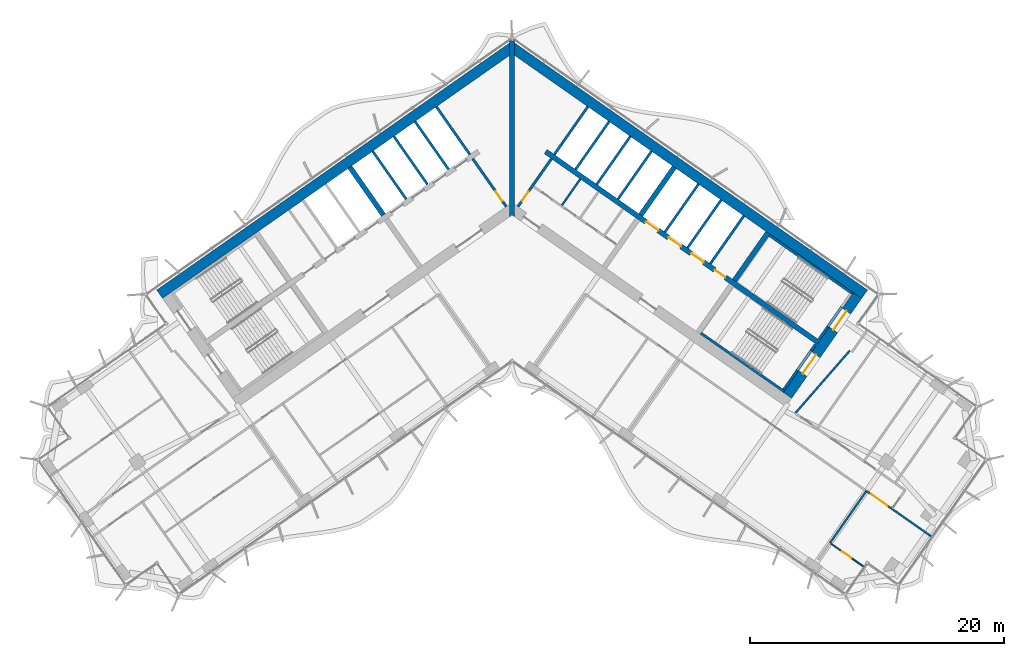
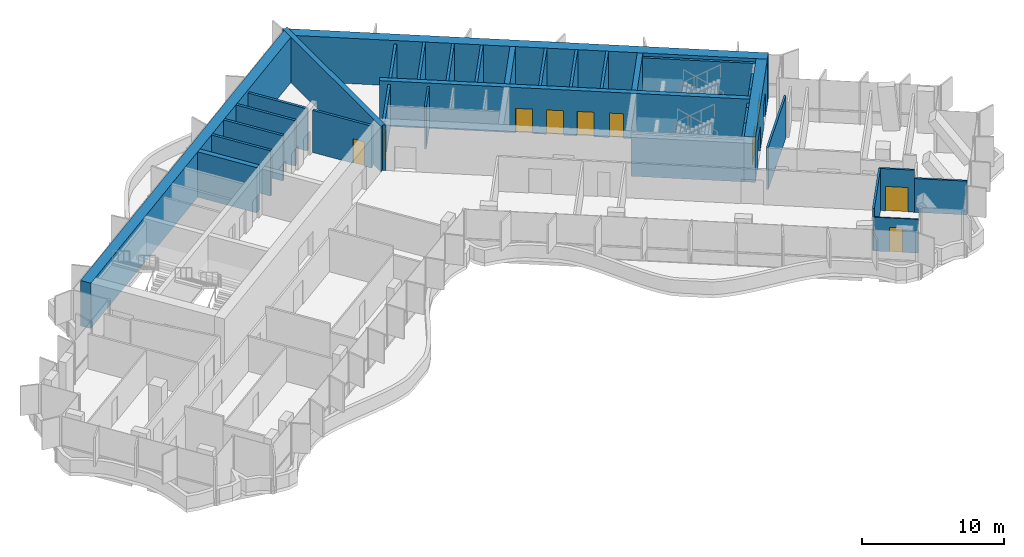
# One storey, part 16 of 23: 34 walls, 10 doors, 10 openings.
"""IFC4 building model written with IfcOpenShell, lengths in metres."""

import ifcopenshell
import ifcopenshell.guid

model = None  # the IFC model being written
_history = None  # IfcOwnerHistory: only IFC2X3 demands one
_inside = {}  # id of a spatial element -> (the spatial element, [elements in it])
_under = {}  # id of a project, library or spatial element -> (it, [spatial elements below it])
_declared = {}  # id of a project -> (the project, [libraries it declares])
_typed = {}  # id of a type object -> (the type object, [elements of that type])
_made_of = {}  # id of a material, layer set ... -> (it, [elements and type objects made of it])


def new_model(schema):
    """Start an empty IFC model of exactly this schema.

    Asked for "IFC4X3", IfcOpenShell would pick the latest addendum, in which some entities
    have other attributes; the version numbers below select the first issue.
    IFC2X3 requires an IfcOwnerHistory on every rooted entity: one is made here for all.
    """
    global model, _history
    if schema == "IFC4X3":
        model = ifcopenshell.file(schema_version=(4, 3, 0, 0))
    else:
        model = ifcopenshell.file(schema=schema)
    _inside.clear()
    _under.clear()
    _declared.clear()
    _typed.clear()
    _made_of.clear()
    _history = None
    if model.schema == "IFC2X3":
        org = make("IfcOrganization", Name="unknown")
        user = make(
            "IfcPersonAndOrganization",
            ThePerson=make("IfcPerson", FamilyName="unknown"),
            TheOrganization=org,
        )
        app = make(
            "IfcApplication",
            ApplicationDeveloper=org,
            Version="unknown",
            ApplicationFullName="unknown",
            ApplicationIdentifier="unknown",
        )
        _history = make(
            "IfcOwnerHistory",
            OwningUser=user,
            OwningApplication=app,
            ChangeAction="ADDED",
            CreationDate=0,
        )
    return model


def make(cls, **values):
    """One entity of the class cls with the attributes given. An attribute that is None is left unset."""
    return model.create_entity(
        cls, **{name: value for name, value in values.items() if value is not None}
    )


def rooted(cls, **values):
    """An entity with a GlobalId (a new one), such as an element, a storey or a relation."""
    return make(cls, GlobalId=ifcopenshell.guid.new(), OwnerHistory=_history, **values)


def si_unit(unit_type, name, prefix=None):
    """IfcSIUnit, for example si_unit("LENGTHUNIT", "METRE", prefix="MILLI")."""
    return make("IfcSIUnit", UnitType=unit_type, Prefix=prefix, Name=name)


def assignment(units):
    """IfcUnitAssignment: the units of a project."""
    return None if units is None else make("IfcUnitAssignment", Units=units)


def point(xyz):
    """IfcCartesianPoint."""
    return None if xyz is None else make("IfcCartesianPoint", Coordinates=xyz)


def direction(xyz):
    """IfcDirection."""
    return None if xyz is None else make("IfcDirection", DirectionRatios=xyz)


def frame(location, z_axis=None, x_axis=None):
    """IfcAxis2Placement3D, a coordinate frame: its origin and axes. An axis left out is left unset."""
    return make(
        "IfcAxis2Placement3D",
        Location=point(location),
        Axis=direction(z_axis),
        RefDirection=direction(x_axis),
    )


def frame_2d(location, x_axis=None):
    """IfcAxis2Placement2D, a coordinate frame in the plane: its origin and x axis."""
    return make(
        "IfcAxis2Placement2D", Location=point(location), RefDirection=direction(x_axis)
    )


def origin():
    """The frame at (0, 0, 0) with its axes left unset."""
    return frame((0.0, 0.0, 0.0))


def place(relative_to, where):
    """IfcLocalPlacement: puts the frame where relative to a parent placement (None: the world)."""
    return make(
        "IfcLocalPlacement", PlacementRelTo=relative_to, RelativePlacement=where
    )


def context(
    kind, dimensions, precision=None, world=None, true_north=None, identifier=None
):
    """IfcGeometricRepresentationContext, for example the 3D "Model" context."""
    return make(
        "IfcGeometricRepresentationContext",
        ContextIdentifier=identifier,
        ContextType=kind,
        CoordinateSpaceDimension=dimensions,
        Precision=precision,
        WorldCoordinateSystem=world,
        TrueNorth=true_north,
    )


def subcontext(parent, identifier, kind, view, scale=None):
    """IfcGeometricRepresentationSubContext, for example "Body" below "Model"."""
    return make(
        "IfcGeometricRepresentationSubContext",
        ContextIdentifier=identifier,
        ContextType=kind,
        ParentContext=parent,
        TargetScale=scale,
        TargetView=view,
    )


def project(units=None, contexts=None):
    """IfcProject with its units and contexts."""
    return rooted(
        "IfcProject",
        Name="project",
        RepresentationContexts=contexts,
        UnitsInContext=assignment(units),
    )


def spatial(cls, under=None, at=None, **own):
    """A site, building, storey or space (cls), placed at a placement, below another one or the project."""
    s = rooted(cls, ObjectPlacement=at, **own)
    if under is not None:
        _under.setdefault(under.id(), (under, []))[1].append(s)
    return s


def polyline(points):
    """IfcPolyline through the points."""
    return make("IfcPolyline", Points=[point(p) for p in points])


def profile(cls, at=None, kind="AREA", **sizes):
    """A parametric profile (cls). Its sizes go by their IFC names, for example OverallWidth=200.0."""
    return make(cls, ProfileType=kind, Position=at, **sizes)


def rectangle(**sizes):
    """IfcRectangleProfileDef."""
    return profile("IfcRectangleProfileDef", **sizes)


def outline(outer, holes=None, kind="AREA"):
    """IfcArbitraryClosedProfileDef: a profile drawn as a closed curve; with holes, ...WithVoids."""
    if holes is None:
        return make("IfcArbitraryClosedProfileDef", ProfileType=kind, OuterCurve=outer)
    return make(
        "IfcArbitraryProfileDefWithVoids",
        ProfileType=kind,
        OuterCurve=outer,
        InnerCurves=holes,
    )


def extrude(swept, where, along, depth):
    """IfcExtrudedAreaSolid: the profile swept, set in the frame where, extruded along a direction by depth."""
    return make(
        "IfcExtrudedAreaSolid",
        SweptArea=swept,
        Position=where,
        ExtrudedDirection=direction(along),
        Depth=depth,
    )


def shape(context_of_items, identifier, shape_type, items):
    """IfcShapeRepresentation: the items that make up one representation, for example the "Body"."""
    return make(
        "IfcShapeRepresentation",
        ContextOfItems=context_of_items,
        RepresentationIdentifier=identifier,
        RepresentationType=shape_type,
        Items=items,
    )


def material(Name=None, Category=None):
    """IfcMaterial."""
    return make("IfcMaterial", Name=Name, Category=Category)


def layer(
    of_material, thickness, ventilated=None, Name=None, Category=None, Priority=None
):
    """IfcMaterialLayer: one layer of a wall or slab, of a material (None: an air gap)."""
    return make(
        "IfcMaterialLayer",
        Material=of_material,
        LayerThickness=thickness,
        IsVentilated=ventilated,
        Name=Name,
        Category=Category,
        Priority=Priority,
    )


def layer_set(layers, Name=None):
    """IfcMaterialLayerSet."""
    return make("IfcMaterialLayerSet", MaterialLayers=layers, LayerSetName=Name)


def made_of(thing, what):
    """Note that an element or type object is made of a material, layer set ...; save() writes the relation."""
    if what is not None:
        _made_of.setdefault(what.id(), (what, []))[1].append(thing)
    return thing


def type_object(cls, material=None, **own):
    """A type object (cls), such as IfcWallType, which elements share."""
    return made_of(rooted(cls, **own), material)


def element(
    cls,
    number,
    at=None,
    inside=None,
    cuts=None,
    type_object=None,
    material=None,
    context=None,
    identifier="Body",
    shape_type=None,
    held_by="IfcProductDefinitionShape",
    body=None,
    shapes=None,
    **own,
):
    """One element of the class cls, such as IfcWall. Its Tag is "e" and its number.

    at: its placement. inside: the storey or other place that contains it. cuts: it is an
    opening in that element (IfcRelVoidsElement). A single representation is given by context,
    identifier, shape_type and body (its items); several are given by shapes. held_by: the class
    of the entity that holds the representations. save() writes the other relations.
    """
    e = rooted(cls, Tag="e%d" % number, ObjectPlacement=at, **own)
    if body is not None:
        shapes = [shape(context, identifier, shape_type, body)]
    if shapes is not None:
        e.Representation = make(held_by, Representations=shapes)
    if inside is not None:
        _inside.setdefault(inside.id(), (inside, []))[1].append(e)
    if cuts is not None:
        rooted(
            "IfcRelVoidsElement", RelatingBuildingElement=cuts, RelatedOpeningElement=e
        )
    if type_object is not None:
        _typed.setdefault(type_object.id(), (type_object, []))[1].append(e)
    return made_of(e, material)


def fill(opening, filler):
    """IfcRelFillsElement: the door or window that sits in an opening."""
    return rooted(
        "IfcRelFillsElement",
        RelatingOpeningElement=opening,
        RelatedBuildingElement=filler,
    )


def aggregate(whole, parts):
    """IfcRelAggregates: a whole, such as a stair, and the parts it consists of."""
    return rooted("IfcRelAggregates", RelatingObject=whole, RelatedObjects=parts)


def save(model, path):
    """Write the relations noted so far, then the file.

    IfcRelAggregates (storeys below a building ...), IfcRelContainedInSpatialStructure (elements
    in a storey), IfcRelDefinesByType, IfcRelAssociatesMaterial and IfcRelDeclares: one each for
    every whole, place, type object, material and project.
    """
    for whole, parts in _under.values():
        aggregate(whole, parts)
    for where, things in _inside.values():
        rooted(
            "IfcRelContainedInSpatialStructure",
            RelatedElements=things,
            RelatingStructure=where,
        )
    for kind, things in _typed.values():
        rooted("IfcRelDefinesByType", RelatedObjects=things, RelatingType=kind)
    for what, things in _made_of.values():
        rooted("IfcRelAssociatesMaterial", RelatedObjects=things, RelatingMaterial=what)
    for by, libraries in _declared.values():
        rooted("IfcRelDeclares", RelatingContext=by, RelatedDefinitions=libraries)
    model.write(path)


model = new_model("IFC4")

# Units and contexts
model_context = context("Model", 3, precision=1e-05, world=origin(), true_north=direction((0.0, 1.0)))
body_context = subcontext(model_context, "Body", "Model", "MODEL_VIEW")
ifc_project = project(units=[si_unit("LENGTHUNIT", "METRE"), si_unit("AREAUNIT", "SQUARE_METRE"), si_unit("VOLUMEUNIT", "CUBIC_METRE"), si_unit("PLANEANGLEUNIT", "RADIAN"), si_unit("MASSUNIT", "GRAM", prefix="KILO")], contexts=[model_context])

# Site, building, storey
site_placement = place(None, origin())
site = spatial("IfcSite", under=ifc_project, at=site_placement, CompositionType="ELEMENT")
building_placement = place(site_placement, origin())
building = spatial("IfcBuilding", under=site, at=building_placement, Name="Tel Ilan Convention Tower", CompositionType="ELEMENT")
storey_placement = place(building_placement, frame((0.0, 0.0, 186.60009765625)))
storey = spatial("IfcBuildingStorey", under=building, at=storey_placement, Name="L43", CompositionType="ELEMENT", Elevation=186.60009765625)

# Wall
ifc_material_1 = material(Name="Gypsum Plasterboard on Steel Stud", Category="steel")
ifc_layer_1 = layer(ifc_material_1, 0.14990234375)
ifc_layer_set_1 = layer_set([ifc_layer_1], Name="Core Room Partition Wall 150 mm EI 60")
wall_type_1 = type_object("IfcWallType", Name="Core Room Partition Wall 150 mm EI 60", PredefinedType="PARTITIONING", material=ifc_layer_set_1)
wall_1_placement = place(storey_placement, frame((3.922119140625, -0.457275390625, 0.0), z_axis=(0.0, 0.0, 1.0), x_axis=(0.573566168143, 0.81915923407, 0.0)))
element("IfcWall", 1, at=wall_1_placement, inside=storey, type_object=wall_type_1, Name="L43 core wall wc-v0", PredefinedType="PARTITIONING", context=body_context, shape_type="SweptSolid", body=[
    extrude(rectangle(XDim=2.52490234375, YDim=0.14990234375, at=frame_2d((1.262451171875, 0.0))), origin(), (0.0, 0.0, 1.0), 3.619873046875),
])

# Wall, opening, door
ifc_material_2 = material(Name="Concrete C30/37", Category="concrete")
ifc_layer_2 = layer(ifc_material_2, 0.199951171875)
ifc_layer_set_2 = layer_set([ifc_layer_2], Name="Core Service Room Wall 200 mm C30/37")
wall_type_2 = type_object("IfcWallType", Name="Core Service Room Wall 200 mm C30/37", PredefinedType="SOLIDWALL", material=ifc_layer_set_2)
wall_2_placement = place(storey_placement, frame((-0.458740234375, -0.565185546875, 0.0), z_axis=(0.0, 0.0, 1.0), x_axis=(-0.573576324356, 0.819152122709, 0.0)))
wall_2 = element("IfcWall", 2, at=wall_2_placement, inside=storey, type_object=wall_type_2, Name="L43 core wall apex-W", PredefinedType="SOLIDWALL", context=body_context, shape_type="SweptSolid", body=[
    extrude(rectangle(XDim=4.599853515625, YDim=0.199951171875, at=frame_2d((2.2998046875, 0.0))), origin(), (0.0, 0.0, 1.0), 3.619873046875),
])
opening_1_placement = place(wall_2_placement, frame((0.550048828125, 0.0, 0.0)))
opening_1 = element("IfcOpeningElement", 3, at=opening_1_placement, cuts=wall_2, Name="Opening CD3302", PredefinedType="OPENING", context=body_context, shape_type="SweptSolid", body=[
    extrude(rectangle(XDim=0.89990234375, YDim=2.10009765625, at=frame_2d((0.449951171875, 1.050048828125))), frame((0.0, 0.10986328125, 0.0), z_axis=(0.0, -1.0, 0.0), x_axis=(1.0, 0.0, 0.0)), (0.0, 0.0, 1.0), 0.219970703125),
])
ifc_material_3 = material(Name="Galvanised Steel Door Leaf", Category="steel")
door_type_1 = type_object("IfcDoorType", Name="Service Room Door 900 x 2100 FD60", OperationType="NOTDEFINED", PredefinedType="DOOR", material=ifc_material_3)
door_1_placement = place(opening_1_placement, origin())
door_1 = element("IfcDoor", 4, at=door_1_placement, inside=storey, type_object=door_type_1, Name="Telecom Room door", OperationType="SINGLE_SWING_RIGHT", OverallHeight=2.10009765625, OverallWidth=0.89990234375, PredefinedType="DOOR", context=body_context, shape_type="SweptSolid", body=[
    extrude(rectangle(XDim=0.89990234375, YDim=2.10009765625, at=frame_2d((0.449951171875, 1.050048828125))), frame((0.0, 0.02490234375, 0.0), z_axis=(0.0, -1.0, 0.0), x_axis=(1.0, 0.0, 0.0)), (0.0, 0.0, 1.0), 0.050048828125),
])
fill(opening_1, door_1)

# Wall
wall_3_placement = place(storey_placement, frame((-3.32666015625, 3.530517578125, 0.0), z_axis=(0.0, 0.0, 1.0), x_axis=(-0.573576324356, 0.819152122709, 0.0)))
element("IfcWall", 5, at=wall_3_placement, inside=storey, type_object=wall_type_2, Name="L43 core wall apex-W-b", PredefinedType="SOLIDWALL", context=body_context, shape_type="SweptSolid", body=[
    extrude(rectangle(XDim=4.599853515625, YDim=0.199951171875, at=frame_2d((2.2998046875, 0.0))), origin(), (0.0, 0.0, 1.0), 3.619873046875),
])

# Wall, opening, door
wall_4_placement = place(storey_placement, frame((0.458740234375, -0.565185546875, 0.0), z_axis=(0.0, 0.0, 1.0), x_axis=(0.573576324356, 0.819152122709, 0.0)))
wall_4 = element("IfcWall", 6, at=wall_4_placement, inside=storey, type_object=wall_type_2, Name="L43 core wall apex-E", PredefinedType="SOLIDWALL", context=body_context, shape_type="SweptSolid", body=[
    extrude(rectangle(XDim=4.599853515625, YDim=0.199951171875, at=frame_2d((2.2998046875, 0.0))), origin(), (0.0, 0.0, 1.0), 3.619873046875),
])
opening_2_placement = place(wall_4_placement, frame((0.550048828125, 0.0, 0.0)))
opening_2 = element("IfcOpeningElement", 7, at=opening_2_placement, cuts=wall_4, Name="Opening CD3301", PredefinedType="OPENING", context=body_context, shape_type="SweptSolid", body=[
    extrude(rectangle(XDim=0.89990234375, YDim=2.10009765625, at=frame_2d((0.449951171875, 1.050048828125))), frame((0.0, 0.10986328125, 0.0), z_axis=(0.0, -1.0, 0.0), x_axis=(1.0, 0.0, 0.0)), (0.0, 0.0, 1.0), 0.219970703125),
])
door_2_placement = place(opening_2_placement, origin())
door_2 = element("IfcDoor", 8, at=door_2_placement, inside=storey, type_object=door_type_1, Name="Data Room door", OperationType="SINGLE_SWING_RIGHT", OverallHeight=2.10009765625, OverallWidth=0.89990234375, PredefinedType="DOOR", context=body_context, shape_type="SweptSolid", body=[
    extrude(rectangle(XDim=0.89990234375, YDim=2.10009765625, at=frame_2d((0.449951171875, 1.050048828125))), frame((0.0, 0.02490234375, 0.0), z_axis=(0.0, -1.0, 0.0), x_axis=(1.0, 0.0, 0.0)), (0.0, 0.0, 1.0), 0.050048828125),
])
fill(opening_2, door_2)

# Walls
wall_5_placement = place(storey_placement, frame((3.32666015625, 3.530517578125, 0.0), z_axis=(0.0, 0.0, 1.0), x_axis=(0.573576324356, 0.819152122709, 0.0)))
element("IfcWall", 9, at=wall_5_placement, inside=storey, type_object=wall_type_2, Name="L43 core wall apex-E-b", PredefinedType="SOLIDWALL", context=body_context, shape_type="SweptSolid", body=[
    extrude(rectangle(XDim=4.599853515625, YDim=0.199951171875, at=frame_2d((2.2998046875, 0.0))), origin(), (0.0, 0.0, 1.0), 3.619873046875),
])
ifc_material_4 = material(Name="Concrete C50/60", Category="concrete")
ifc_layer_3 = layer(ifc_material_4, 0.39990234375)
ifc_layer_set_3 = layer_set([ifc_layer_3], Name="Core Shear Wall 400 mm C50/60")
wall_type_3 = type_object("IfcWallType", Name="Core Shear Wall 400 mm C50/60", PredefinedType="SHEAR", material=ifc_layer_set_3)
wall_6_placement = place(storey_placement, frame((-10.12548828125, -1.230224609375, 0.0), z_axis=(0.0, 0.0, 1.0), x_axis=(-0.573576324356, 0.819152122709, 0.0)))
element("IfcWall", 10, at=wall_6_placement, inside=storey, type_object=wall_type_3, Name="L43 core wall W-cross1-2", PredefinedType="SHEAR", context=body_context, shape_type="SweptSolid", body=[
    extrude(outline(polyline([(4.60009765625, -0.199951171875), (4.599853515625, 0.199951171875), (0.0, 0.2001953125), (0.0, -0.199951171875), (4.60009765625, -0.199951171875)])), origin(), (0.0, 0.0, 1.0), 3.89990234375),
])
wall_7_placement = place(storey_placement, frame((10.12548828125, -1.230224609375, 0.0), z_axis=(0.0, 0.0, 1.0), x_axis=(0.573576324356, 0.819152122709, 0.0)))
element("IfcWall", 11, at=wall_7_placement, inside=storey, type_object=wall_type_3, Name="L43 core wall E-cross1-2", PredefinedType="SHEAR", context=body_context, shape_type="SweptSolid", body=[
    extrude(outline(polyline([(4.599853515625, -0.199951171875), (4.60009765625, 0.199951171875), (0.0, 0.199951171875), (0.0, -0.2001953125), (4.599853515625, -0.199951171875)])), origin(), (0.0, 0.0, 1.0), 3.89990234375),
])
wall_8_placement = place(storey_placement, frame((17.497802734375, -6.392333984375, 0.0), z_axis=(0.0, 0.0, 1.0), x_axis=(0.573611936273, 0.819127185829, 0.0)))
element("IfcWall", 12, at=wall_8_placement, inside=storey, type_object=wall_type_3, Name="L43 core wall E-cross2-2", PredefinedType="SHEAR", context=body_context, shape_type="SweptSolid", body=[
    extrude(outline(polyline([(4.599853515625, -0.199951171875), (4.599853515625, 0.2001953125), (0.0, 0.199951171875), (0.0, -0.2001953125), (4.599853515625, -0.199951171875)])), origin(), (0.0, 0.0, 1.0), 3.89990234375),
])

# Wall, openings, doors
wall_9_placement = place(storey_placement, frame((2.638427734375, 3.76806640625, 0.0), z_axis=(0.0, 0.0, 1.0), x_axis=(0.81915267502, -0.573575535572, 0.0)))
wall_9 = element("IfcWall", 13, at=wall_9_placement, inside=storey, type_object=wall_type_3, Name="L43 core wall E-spine", PredefinedType="SHEAR", context=body_context, shape_type="SweptSolid", body=[
    extrude(outline(polyline([(0.0, 0.199951171875), (0.0, -0.199951171875), (26.199951171875, -0.199951171875), (26.199951171875, 0.199951171875), (0.0, 0.199951171875)])), origin(), (0.0, 0.0, 1.0), 3.89990234375),
])
opening_3_placement = place(wall_9_placement, frame((9.637451171875, 0.0, 0.0)))
opening_3 = element("IfcOpeningElement", 14, at=opening_3_placement, cuts=wall_9, Name="Opening LD3301", PredefinedType="OPENING", context=body_context, shape_type="SweptSolid", body=[
    extrude(rectangle(XDim=1.199951171875, YDim=2.10009765625, at=frame_2d((0.60009765625, 1.050048828125))), frame((0.0, 0.2099609375, 0.0), z_axis=(0.0, -1.0, 0.0), x_axis=(1.0, 0.0, 0.0)), (0.0, 0.0, 1.0), 0.419921875),
])
opening_4_placement = place(wall_9_placement, frame((11.8125, 0.0, 0.0)))
opening_4 = element("IfcOpeningElement", 15, at=opening_4_placement, cuts=wall_9, Name="Opening LD3302", PredefinedType="OPENING", context=body_context, shape_type="SweptSolid", body=[
    extrude(rectangle(XDim=1.199951171875, YDim=2.10009765625, at=frame_2d((0.60009765625, 1.050048828125))), frame((0.0, 0.2099609375, 0.0), z_axis=(0.0, -1.0, 0.0), x_axis=(1.0, 0.0, 0.0)), (0.0, 0.0, 1.0), 0.419921875),
])
opening_5_placement = place(wall_9_placement, frame((13.987548828125, 0.0, 0.0)))
opening_5 = element("IfcOpeningElement", 16, at=opening_5_placement, cuts=wall_9, Name="Opening LD3303", PredefinedType="OPENING", context=body_context, shape_type="SweptSolid", body=[
    extrude(rectangle(XDim=1.199951171875, YDim=2.10009765625, at=frame_2d((0.60009765625, 1.050048828125))), frame((0.0, 0.2099609375, 0.0), z_axis=(0.0, -1.0, 0.0), x_axis=(1.0, 0.0, 0.0)), (0.0, 0.0, 1.0), 0.419921875),
])
opening_6_placement = place(wall_9_placement, frame((16.262451171875, 0.0, 0.0)))
opening_6 = element("IfcOpeningElement", 17, at=opening_6_placement, cuts=wall_9, Name="Opening CD3307", PredefinedType="OPENING", context=body_context, shape_type="SweptSolid", body=[
    extrude(rectangle(XDim=1.0, YDim=2.10009765625, at=frame_2d((0.5, 1.050048828125))), frame((0.0, 0.2099609375, 0.0), z_axis=(0.0, -1.0, 0.0), x_axis=(1.0, 0.0, 0.0)), (0.0, 0.0, 1.0), 0.419921875),
])
ifc_material_5 = material(Name="Stainless Steel Sliding Door Leaf", Category="steel")
door_type_2 = type_object("IfcDoorType", Name="Lift Landing Door 1200 x 2100 FD120", OperationType="NOTDEFINED", PredefinedType="DOOR", material=ifc_material_5)
door_3_placement = place(opening_3_placement, origin())
door_3 = element("IfcDoor", 18, at=door_3_placement, inside=storey, type_object=door_type_2, Name="Lift FL1 landing door", OperationType="SLIDING_TO_LEFT", OverallHeight=2.10009765625, OverallWidth=1.199951171875, PredefinedType="DOOR", context=body_context, shape_type="SweptSolid", body=[
    extrude(rectangle(XDim=1.199951171875, YDim=2.10009765625, at=frame_2d((0.60009765625, 1.050048828125))), frame((0.0, 0.02490234375, 0.0), z_axis=(0.0, -1.0, 0.0), x_axis=(1.0, 0.0, 0.0)), (0.0, 0.0, 1.0), 0.050048828125),
])
fill(opening_3, door_3)
door_4_placement = place(opening_4_placement, origin())
door_4 = element("IfcDoor", 19, at=door_4_placement, inside=storey, type_object=door_type_2, Name="Lift FL2 landing door", OperationType="SLIDING_TO_RIGHT", OverallHeight=2.10009765625, OverallWidth=1.199951171875, PredefinedType="DOOR", context=body_context, shape_type="SweptSolid", body=[
    extrude(rectangle(XDim=1.199951171875, YDim=2.10009765625, at=frame_2d((0.60009765625, 1.050048828125))), frame((0.0, 0.02490234375, 0.0), z_axis=(0.0, -1.0, 0.0), x_axis=(1.0, 0.0, 0.0)), (0.0, 0.0, 1.0), 0.050048828125),
])
fill(opening_4, door_4)
door_5_placement = place(opening_5_placement, origin())
door_5 = element("IfcDoor", 20, at=door_5_placement, inside=storey, type_object=door_type_2, Name="Lift FL3 landing door", OperationType="SLIDING_TO_LEFT", OverallHeight=2.10009765625, OverallWidth=1.199951171875, PredefinedType="DOOR", context=body_context, shape_type="SweptSolid", body=[
    extrude(rectangle(XDim=1.199951171875, YDim=2.10009765625, at=frame_2d((0.60009765625, 1.050048828125))), frame((0.0, 0.02490234375, 0.0), z_axis=(0.0, -1.0, 0.0), x_axis=(1.0, 0.0, 0.0)), (0.0, 0.0, 1.0), 0.050048828125),
])
fill(opening_5, door_5)
ifc_material_6 = material(Name="Galvanised Steel Door Leaf", Category="steel")
door_type_3 = type_object("IfcDoorType", Name="Service Room Door 1000 x 2100 FD60", OperationType="NOTDEFINED", PredefinedType="DOOR", material=ifc_material_6)
door_6_placement = place(opening_6_placement, origin())
door_6 = element("IfcDoor", 21, at=door_6_placement, inside=storey, type_object=door_type_3, Name="Plant Room door", OperationType="SINGLE_SWING_RIGHT", OverallHeight=2.10009765625, OverallWidth=1.0, PredefinedType="DOOR", context=body_context, shape_type="SweptSolid", body=[
    extrude(rectangle(XDim=1.0, YDim=2.10009765625, at=frame_2d((0.5, 1.050048828125))), frame((0.0, 0.02490234375, 0.0), z_axis=(0.0, -1.0, 0.0), x_axis=(1.0, 0.0, 0.0)), (0.0, 0.0, 1.0), 0.050048828125),
])
fill(opening_6, door_6)

# Walls
wall_10_placement = place(storey_placement, frame((0.0, -1.36083984375, 0.0), z_axis=(0.0, 0.0, 1.0), x_axis=(0.0, 1.0, 0.0)))
element("IfcWall", 22, at=wall_10_placement, inside=storey, type_object=wall_type_3, Name="L43 core wall K-central", PredefinedType="SHEAR", context=body_context, shape_type="SweptSolid", body=[
    extrude(outline(polyline([(0.0, -0.199951171875), (0.14013671875, -0.199951171875), (1.0751953125, -0.199951171875), (12.696044921875, -0.199951171875), (13.812744140625, -0.199951171875), (13.893310546875, -0.199951171875), (13.933349609375, -0.172119140625), (13.812744140625, 0.0), (13.933349609375, 0.172119140625), (13.893310546875, 0.199951171875), (13.812744140625, 0.199951171875), (12.696044921875, 0.199951171875), (1.0751953125, 0.199951171875), (0.14013671875, 0.199951171875), (0.0, 0.199951171875), (0.14013671875, 0.0), (0.0, -0.199951171875)])), origin(), (0.0, 0.0, 1.0), 3.89990234375),
])
ifc_material_7 = material(Name="Concrete C50/60", Category="concrete")
ifc_layer_4 = layer(ifc_material_7, 0.800048828125)
ifc_layer_set_4 = layer_set([ifc_layer_4], Name="Core Shear Wall 800 mm C50/60")
wall_type_4 = type_object("IfcWallType", Name="Core Shear Wall 800 mm C50/60", PredefinedType="SHEAR", material=ifc_layer_set_4)
wall_11_placement = place(storey_placement, frame((0.029296875, 11.984130859375, 0.0), z_axis=(0.0, 0.0, 1.0), x_axis=(-0.819151382952, -0.573577380837, 0.0)))
element("IfcWall", 23, at=wall_11_placement, inside=storey, type_object=wall_type_4, Name="L43 core wall W-back", PredefinedType="SHEAR", context=body_context, shape_type="SweptSolid", body=[
    extrude(outline(polyline([(33.897705078125, 0.39990234375), (0.56005859375, 0.400146484375), (-0.000244140625, -0.39990234375), (33.897705078125, -0.400146484375), (33.897705078125, 0.39990234375)])), origin(), (0.0, 0.0, 1.0), 3.89990234375),
])
wall_12_placement = place(storey_placement, frame((-0.029296875, 11.984130859375, 0.0), z_axis=(0.0, 0.0, 1.0), x_axis=(0.819151382952, -0.573577380837, 0.0)))
element("IfcWall", 24, at=wall_12_placement, inside=storey, type_object=wall_type_4, Name="L43 core wall E-back", PredefinedType="SHEAR", context=body_context, shape_type="SweptSolid", body=[
    extrude(outline(polyline([(33.897705078125, 0.400146484375), (-0.000244140625, 0.39990234375), (0.56005859375, -0.400146484375), (33.897705078125, -0.39990234375), (33.897705078125, 0.400146484375)])), origin(), (0.0, 0.0, 1.0), 3.89990234375),
])

# Wall, openings, doors
wall_13_placement = place(storey_placement, frame((21.6748046875, -15.4208984375, 0.0), z_axis=(0.0, 0.0, 1.0), x_axis=(0.573581815061, 0.819148278049, 0.0)))
wall_13 = element("IfcWall", 25, at=wall_13_placement, inside=storey, type_object=wall_type_4, Name="L43 core wall E-end", PredefinedType="SHEAR", context=body_context, shape_type="SweptSolid", body=[
    extrude(outline(polyline([(9.599853515625, 0.400146484375), (0.0, 0.39990234375), (0.0, -0.39990234375), (9.599853515625, -0.39990234375), (9.599853515625, 0.400146484375)])), origin(), (0.0, 0.0, 1.0), 3.89990234375),
])
opening_7_placement = place(wall_13_placement, frame((6.300048828125, 0.0, 0.0)))
opening_7 = element("IfcOpeningElement", 26, at=opening_7_placement, cuts=wall_13, Name="Opening SD3303", PredefinedType="OPENING", context=body_context, shape_type="SweptSolid", body=[
    extrude(rectangle(XDim=1.800048828125, YDim=2.10009765625, at=frame_2d((0.89990234375, 1.050048828125))), frame((0.0, 0.409912109375, 0.0), z_axis=(0.0, -1.0, 0.0), x_axis=(1.0, 0.0, 0.0)), (0.0, 0.0, 1.0), 0.820068359375),
])
opening_8_placement = place(wall_13_placement, frame((2.10009765625, 0.0, 0.0)))
opening_8 = element("IfcOpeningElement", 27, at=opening_8_placement, cuts=wall_13, Name="Opening SD3304", PredefinedType="OPENING", context=body_context, shape_type="SweptSolid", body=[
    extrude(rectangle(XDim=1.800048828125, YDim=2.10009765625, at=frame_2d((0.89990234375, 1.050048828125))), frame((0.0, 0.409912109375, 0.0), z_axis=(0.0, -1.0, 0.0), x_axis=(1.0, 0.0, 0.0)), (0.0, 0.0, 1.0), 0.820068359375),
])
ifc_material_8 = material(Name="Galvanised Steel Door Leaf", Category="steel")
door_type_4 = type_object("IfcDoorType", Name="Stair Fire Door 1800 x 2100 FD60S", OperationType="NOTDEFINED", PredefinedType="DOOR", material=ifc_material_8)
door_7_placement = place(opening_7_placement, origin())
door_7 = element("IfcDoor", 28, at=door_7_placement, inside=storey, type_object=door_type_4, Name="Stair S3 door", OperationType="DOUBLE_DOOR_SINGLE_SWING", OverallHeight=2.10009765625, OverallWidth=1.800048828125, PredefinedType="DOOR", context=body_context, shape_type="SweptSolid", body=[
    extrude(rectangle(XDim=1.800048828125, YDim=2.10009765625, at=frame_2d((0.89990234375, 1.050048828125))), frame((0.0, 0.02490234375, 0.0), z_axis=(0.0, -1.0, 0.0), x_axis=(1.0, 0.0, 0.0)), (0.0, 0.0, 1.0), 0.050048828125),
])
fill(opening_7, door_7)
door_8_placement = place(opening_8_placement, origin())
door_8 = element("IfcDoor", 29, at=door_8_placement, inside=storey, type_object=door_type_4, Name="Stair S4 door", OperationType="DOUBLE_DOOR_SINGLE_SWING", OverallHeight=2.10009765625, OverallWidth=1.800048828125, PredefinedType="DOOR", context=body_context, shape_type="SweptSolid", body=[
    extrude(rectangle(XDim=1.800048828125, YDim=2.10009765625, at=frame_2d((0.89990234375, 1.050048828125))), frame((0.0, 0.02490234375, 0.0), z_axis=(0.0, -1.0, 0.0), x_axis=(1.0, 0.0, 0.0)), (0.0, 0.0, 1.0), 0.050048828125),
])
fill(opening_8, door_8)

# Wall, opening, door
ifc_material_9 = material(Name="Plasterboard on Steel Studs", Category="steel")
ifc_layer_5 = layer(ifc_material_9, 0.14990234375)
ifc_layer_set_5 = layer_set([ifc_layer_5], Name="Fire-rated Partition 150 EI 60")
wall_type_5 = type_object("IfcWallType", Name="Fire-rated Partition 150 EI 60", PredefinedType="PARTITIONING", material=ifc_layer_set_5)
wall_14_placement = place(storey_placement, frame((29.900390625, -24.3544921875, 0.0), z_axis=(0.0, 0.0, 1.0), x_axis=(-0.819166750642, 0.57355543293, 0.0)))
wall_14 = element("IfcWall", 30, at=wall_14_placement, inside=storey, type_object=wall_type_5, Name="Partition 009", PredefinedType="PARTITIONING", context=body_context, shape_type="SweptSolid", body=[
    extrude(rectangle(XDim=2.464111328125, YDim=0.14990234375, at=frame_2d((1.23193359375, 0.0))), origin(), (0.0, 0.0, 1.0), 3.619873046875),
])
opening_9_placement = place(wall_14_placement, frame((0.431884765625, 0.0, 0.0)))
opening_9 = element("IfcOpeningElement", 31, at=opening_9_placement, cuts=wall_14, Name="Opening L43-014", PredefinedType="OPENING", context=body_context, shape_type="SweptSolid", body=[
    extrude(rectangle(XDim=1.60009765625, YDim=2.10009765625, at=frame_2d((0.800048828125, 1.050048828125))), frame((0.0, 0.0849609375, 0.0), z_axis=(0.0, -1.0, 0.0), x_axis=(1.0, 0.0, 0.0)), (0.0, 0.0, 1.0), 0.169921875),
])
ifc_material_10 = material(Name="Timber Door Leaf in Steel Frame", Category="steel")
door_type_5 = type_object("IfcDoorType", Name="Tenant Suite Entrance Fire Door 1600x2100", OperationType="NOTDEFINED", PredefinedType="DOOR", material=ifc_material_10)
door_9_placement = place(opening_9_placement, origin())
door_9 = element("IfcDoor", 32, at=door_9_placement, inside=storey, type_object=door_type_5, Name="Door L43-014", OperationType="DOUBLE_DOOR_SINGLE_SWING", OverallHeight=2.10009765625, OverallWidth=1.60009765625, PredefinedType="DOOR", context=body_context, shape_type="SweptSolid", body=[
    extrude(rectangle(XDim=1.60009765625, YDim=2.10009765625, at=frame_2d((0.800048828125, 1.050048828125))), frame((0.0, 0.02490234375, 0.0), z_axis=(0.0, -1.0, 0.0), x_axis=(1.0, 0.0, 0.0)), (0.0, 0.0, 1.0), 0.050048828125),
])
fill(opening_9, door_9)

# Walls
wall_15_placement = place(storey_placement, frame((22.284912109375, -16.82470703125, 0.0), z_axis=(0.0, 0.0, 1.0), x_axis=(0.656781429942, 0.754080999153, 0.0)))
element("IfcWall", 33, at=wall_15_placement, inside=storey, type_object=wall_type_5, Name="Partition 018", PredefinedType="PARTITIONING", context=body_context, shape_type="SweptSolid", body=[
    extrude(rectangle(XDim=6.536376953125, YDim=0.14990234375, at=frame_2d((3.26806640625, 0.0))), origin(), (0.0, 0.0, 1.0), 3.619873046875),
])
wall_16_placement = place(storey_placement, frame((32.962158203125, -26.49853515625, 0.0), z_axis=(0.0, 0.0, 1.0), x_axis=(-0.819149046121, 0.573580718155, 0.0)))
element("IfcWall", 34, at=wall_16_placement, inside=storey, type_object=wall_type_5, Name="Partition 022", PredefinedType="PARTITIONING", context=body_context, shape_type="SweptSolid", body=[
    extrude(rectangle(XDim=3.737060546875, YDim=0.14990234375, at=frame_2d((1.86865234375, 0.0))), origin(), (0.0, 0.0, 1.0), 2.89990234375),
])
wall_17_placement = place(storey_placement, frame((27.883544921875, -22.9423828125, 0.0), z_axis=(0.0, 0.0, 1.0), x_axis=(-0.573590089534, -0.819142484058, 0.0)))
element("IfcWall", 35, at=wall_17_placement, inside=storey, type_object=wall_type_5, Name="Partition 027", PredefinedType="PARTITIONING", context=body_context, shape_type="SweptSolid", body=[
    extrude(rectangle(XDim=5.001953125, YDim=0.14990234375, at=frame_2d((2.5009765625, 0.0))), origin(), (0.0, 0.0, 1.0), 3.619873046875),
])
ifc_material_11 = material(Name="Concrete C30/37", Category="concrete")
ifc_layer_6 = layer(ifc_material_11, 0.199951171875)
ifc_layer_set_6 = layer_set([ifc_layer_6], Name="Lift Shaft Wall 200 mm C30/37")
wall_type_6 = type_object("IfcWallType", Name="Lift Shaft Wall 200 mm C30/37", PredefinedType="SOLIDWALL", material=ifc_layer_set_6)
for number, where, z_axis, x_axis, name in (
    (36, (-4.99560546875, 2.36181640625, 0.0), (0.0, 0.0, 1.0), (-0.573576324356, 0.819152122709, 0.0), "L43 core wall bank-W1-p0"),
    (37, (-6.66455078125, 1.193115234375, 0.0), (0.0, 0.0, 1.0), (-0.573576324356, 0.819152122709, 0.0), "L43 core wall bank-W1-p1"),
):
    element("IfcWall", number, at=place(storey_placement, frame(where, z_axis=z_axis, x_axis=x_axis)), inside=storey, type_object=wall_type_6, Name=name, PredefinedType="SOLIDWALL", context=body_context, shape_type="SweptSolid", body=[
        extrude(rectangle(XDim=4.599853515625, YDim=0.199951171875, at=frame_2d((2.2998046875, 0.0))), origin(), (0.0, 0.0, 1.0), 3.89990234375),
    ])
wall_18_placement = place(storey_placement, frame((-8.33349609375, 0.0244140625, 0.0), z_axis=(0.0, 0.0, 1.0), x_axis=(-0.573611936273, 0.819127185829, 0.0)))
element("IfcWall", 38, at=wall_18_placement, inside=storey, type_object=wall_type_6, Name="L43 core wall bank-W1-p2", PredefinedType="SOLIDWALL", context=body_context, shape_type="SweptSolid", body=[
    extrude(rectangle(XDim=4.60009765625, YDim=0.199951171875, at=frame_2d((2.300048828125, 0.0))), origin(), (0.0, 0.0, 1.0), 3.89990234375),
])
for number, where, z_axis, x_axis, name in (
    (39, (4.99560546875, 2.36181640625, 0.0), (0.0, 0.0, 1.0), (0.573576324356, 0.819152122709, 0.0), "L43 core wall bank-E1-p0"),
    (40, (6.66455078125, 1.193115234375, 0.0), (0.0, 0.0, 1.0), (0.573576324356, 0.819152122709, 0.0), "L43 core wall bank-E1-p1"),
):
    element("IfcWall", number, at=place(storey_placement, frame(where, z_axis=z_axis, x_axis=x_axis)), inside=storey, type_object=wall_type_6, Name=name, PredefinedType="SOLIDWALL", context=body_context, shape_type="SweptSolid", body=[
        extrude(rectangle(XDim=4.599853515625, YDim=0.199951171875, at=frame_2d((2.2998046875, 0.0))), origin(), (0.0, 0.0, 1.0), 3.89990234375),
    ])
wall_19_placement = place(storey_placement, frame((8.33349609375, 0.0244140625, 0.0), z_axis=(0.0, 0.0, 1.0), x_axis=(0.573611936273, 0.819127185829, 0.0)))
element("IfcWall", 41, at=wall_19_placement, inside=storey, type_object=wall_type_6, Name="L43 core wall bank-E1-p2", PredefinedType="SOLIDWALL", context=body_context, shape_type="SweptSolid", body=[
    extrude(rectangle(XDim=4.60009765625, YDim=0.199951171875, at=frame_2d((2.300048828125, 0.0))), origin(), (0.0, 0.0, 1.0), 3.89990234375),
])
for number, where, z_axis, x_axis, name in (
    (42, (12.030029296875, -2.563720703125, 0.0), (0.0, 0.0, 1.0), (0.573576324356, 0.819152122709, 0.0), "L43 core wall bank-E2-p0"),
    (43, (13.811767578125, -3.811279296875, 0.0), (0.0, 0.0, 1.0), (0.573576324356, 0.819152122709, 0.0), "L43 core wall bank-E2-p1"),
    (44, (15.593505859375, -5.058837890625, 0.0), (0.0, 0.0, 1.0), (0.573540709186, 0.819177059558, 0.0), "L43 core wall bank-E2-p2"),
):
    element("IfcWall", number, at=place(storey_placement, frame(where, z_axis=z_axis, x_axis=x_axis)), inside=storey, type_object=wall_type_6, Name=name, PredefinedType="SOLIDWALL", context=body_context, shape_type="SweptSolid", body=[
        extrude(rectangle(XDim=4.599853515625, YDim=0.199951171875, at=frame_2d((2.2998046875, 0.0))), origin(), (0.0, 0.0, 1.0), 3.89990234375),
    ])

# Wall, opening, door
ifc_material_12 = material(Name="Plasterboard on Steel Studs", Category="steel")
ifc_layer_7 = layer(ifc_material_12, 0.10009765625)
ifc_layer_set_7 = layer_set([ifc_layer_7], Name="Plasterboard Partition 100")
wall_type_7 = type_object("IfcWallType", Name="Plasterboard Partition 100", PredefinedType="PARTITIONING", material=ifc_layer_set_7)
wall_20_placement = place(storey_placement, frame((27.63623046875, -28.87451171875, 0.0), z_axis=(0.0, 0.0, 1.0), x_axis=(-0.819156644649, 0.573569866301, 0.0)))
wall_20 = element("IfcWall", 45, at=wall_20_placement, inside=storey, type_object=wall_type_7, Name="Partition 028", PredefinedType="PARTITIONING", context=body_context, shape_type="SweptSolid", body=[
    extrude(rectangle(XDim=3.199951171875, YDim=0.10009765625, at=frame_2d((1.60009765625, 0.0))), origin(), (0.0, 0.0, 1.0), 2.89990234375),
])
opening_10_placement = place(wall_20_placement, frame((1.14990234375, 0.0, 0.0)))
opening_10 = element("IfcOpeningElement", 46, at=opening_10_placement, cuts=wall_20, Name="Opening L43-015", PredefinedType="OPENING", context=body_context, shape_type="SweptSolid", body=[
    extrude(rectangle(XDim=0.89990234375, YDim=2.10009765625, at=frame_2d((0.449951171875, 1.050048828125))), frame((0.0, 0.06005859375, 0.0), z_axis=(0.0, -1.0, 0.0), x_axis=(1.0, 0.0, 0.0)), (0.0, 0.0, 1.0), 0.1201171875),
])
ifc_material_13 = material(Name="Timber Door Leaf in Steel Frame", Category="steel")
door_type_6 = type_object("IfcDoorType", Name="Room Timber Door 900x2100", OperationType="NOTDEFINED", PredefinedType="DOOR", material=ifc_material_13)
door_10_placement = place(opening_10_placement, origin())
door_10 = element("IfcDoor", 47, at=door_10_placement, inside=storey, type_object=door_type_6, Name="Door L43-015", OperationType="SINGLE_SWING_LEFT", OverallHeight=2.10009765625, OverallWidth=0.89990234375, PredefinedType="DOOR", context=body_context, shape_type="SweptSolid", body=[
    extrude(rectangle(XDim=0.89990234375, YDim=2.10009765625, at=frame_2d((0.449951171875, 1.050048828125))), frame((0.0, 0.02490234375, 0.0), z_axis=(0.0, -1.0, 0.0), x_axis=(1.0, 0.0, 0.0)), (0.0, 0.0, 1.0), 0.050048828125),
])
fill(opening_10, door_10)

# Walls
ifc_material_14 = material(Name="Concrete C30/37", Category="concrete")
ifc_layer_8 = layer(ifc_material_14, 0.199951171875)
ifc_layer_set_8 = layer_set([ifc_layer_8], Name="Stair and Shaft Lining Wall 200 mm C30/37")
wall_type_8 = type_object("IfcWallType", Name="Stair and Shaft Lining Wall 200 mm C30/37", PredefinedType="SOLIDWALL", material=ifc_layer_set_8)
wall_21_placement = place(storey_placement, frame((20.242919921875, -2.821044921875, 0.0), z_axis=(0.0, 0.0, 1.0), x_axis=(0.819141584393, -0.57359137434, 0.0)))
element("IfcWall", 48, at=wall_21_placement, inside=storey, type_object=wall_type_8, Name="L43 core wall lining-S3-t1", PredefinedType="SOLIDWALL", context=body_context, shape_type="SweptSolid", body=[
    extrude(rectangle(XDim=7.999755859375, YDim=0.199951171875, at=frame_2d((4.0, 0.0))), origin(), (0.0, 0.0, 1.0), 3.619873046875),
])
wall_22_placement = place(storey_placement, frame((24.16162109375, -10.99755859375, 0.0), z_axis=(0.0, 0.0, 1.0), x_axis=(0.573612502218, 0.819126789514, 0.0)))
element("IfcWall", 49, at=wall_22_placement, inside=storey, type_object=wall_type_8, Name="L43 core wall lining-S3-u1-0", PredefinedType="SOLIDWALL", context=body_context, shape_type="SweptSolid", body=[
    extrude(rectangle(XDim=1.2001953125, YDim=0.199951171875, at=frame_2d((0.60009765625, 0.0))), origin(), (0.0, 0.0, 1.0), 3.619873046875),
])
wall_23_placement = place(storey_placement, frame((24.85009765625, -10.014404296875, 2.14990234375), z_axis=(0.0, 0.0, 1.0), x_axis=(0.573505465124, 0.819201734296, 0.0)))
element("IfcWall", 50, at=wall_23_placement, inside=storey, type_object=wall_type_8, Name="L43 core wall lining-S3-u1-lintel", PredefinedType="SOLIDWALL", context=body_context, shape_type="SweptSolid", body=[
    extrude(rectangle(XDim=1.89990234375, YDim=0.199951171875, at=frame_2d((0.949951171875, 0.0))), origin(), (0.0, 0.0, 1.0), 1.469970703125),
])
wall_24_placement = place(storey_placement, frame((14.851318359375, -10.52099609375, 0.0), z_axis=(0.0, 0.0, 1.0), x_axis=(0.819141584393, -0.57359137434, 0.0)))
element("IfcWall", 51, at=wall_24_placement, inside=storey, type_object=wall_type_8, Name="L43 core wall lining-S4-t0", PredefinedType="SOLIDWALL", context=body_context, shape_type="SweptSolid", body=[
    extrude(rectangle(XDim=7.999755859375, YDim=0.199951171875, at=frame_2d((4.0, 0.0))), origin(), (0.0, 0.0, 1.0), 3.619873046875),
])
wall_25_placement = place(storey_placement, frame((21.3798828125, -14.97021484375, 0.0), z_axis=(0.0, 0.0, 1.0), x_axis=(0.573559770908, 0.819163713305, 0.0)))
element("IfcWall", 52, at=wall_25_placement, inside=storey, type_object=wall_type_8, Name="L43 core wall lining-S4-u1-0", PredefinedType="SOLIDWALL", context=body_context, shape_type="SweptSolid", body=[
    extrude(rectangle(XDim=1.849853515625, YDim=0.199951171875, at=frame_2d((0.9248046875, 0.0))), origin(), (0.0, 0.0, 1.0), 3.619873046875),
])
wall_26_placement = place(storey_placement, frame((23.53076171875, -11.8984375, 0.0), z_axis=(0.0, 0.0, 1.0), x_axis=(0.573708088123, 0.819059844958, 0.0)))
element("IfcWall", 53, at=wall_26_placement, inside=storey, type_object=wall_type_8, Name="L43 core wall lining-S4-u1-1", PredefinedType="SOLIDWALL", context=body_context, shape_type="SweptSolid", body=[
    extrude(rectangle(XDim=0.60009765625, YDim=0.199951171875, at=frame_2d((0.300048828125, 0.0))), origin(), (0.0, 0.0, 1.0), 3.619873046875),
])
wall_27_placement = place(storey_placement, frame((22.44091796875, -13.454833984375, 2.14990234375), z_axis=(0.0, 0.0, 1.0), x_axis=(0.573591692345, 0.819141361715, 0.0)))
element("IfcWall", 54, at=wall_27_placement, inside=storey, type_object=wall_type_8, Name="L43 core wall lining-S4-u1-lintel", PredefinedType="SOLIDWALL", context=body_context, shape_type="SweptSolid", body=[
    extrude(rectangle(XDim=1.900146484375, YDim=0.199951171875, at=frame_2d((0.9501953125, 0.0))), origin(), (0.0, 0.0, 1.0), 1.469970703125),
])

save(model, "model.ifc")
